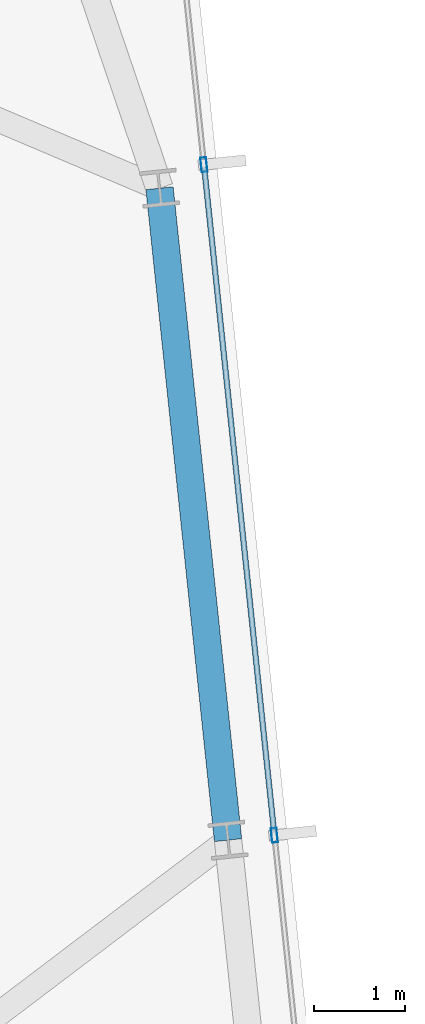
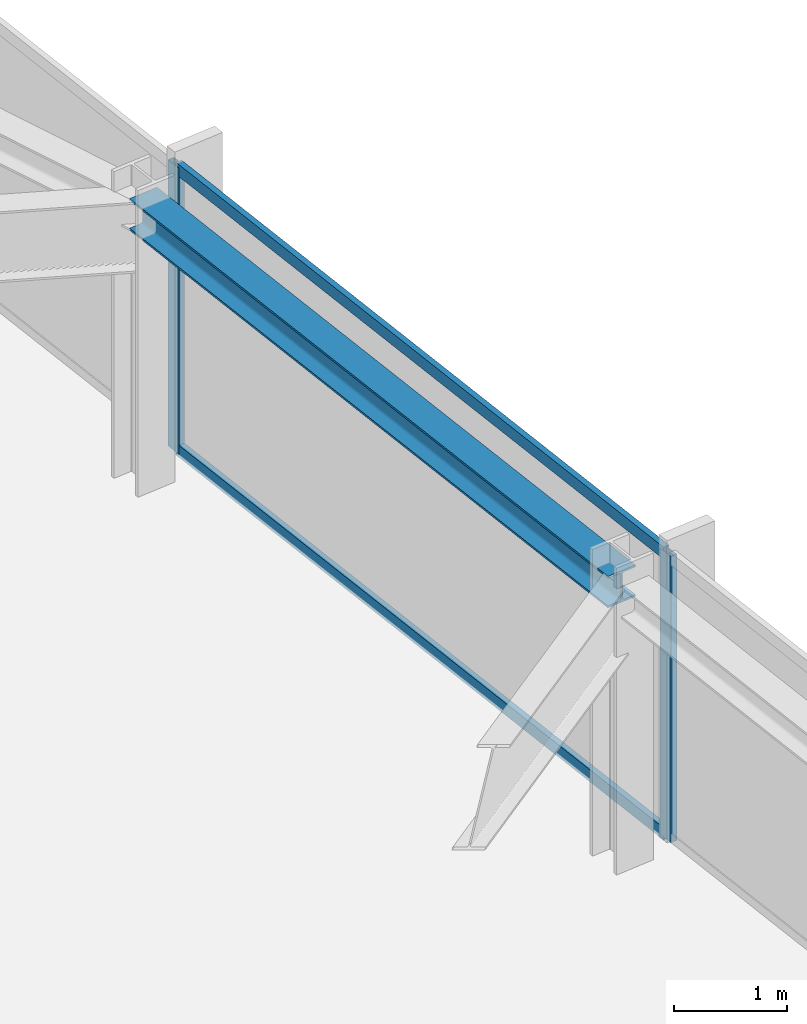
# One storey, part 19 of 32: 4 members, 1 beam, 1 element without a shape of its own.
"""IFC4 building model written with IfcOpenShell, lengths in metres."""

from ifc_helpers import new_model, si_unit, direction, frame, origin, origin_2d, place, context, subcontext, project, spatial, hollow_rectangle, i_section, extrude, material, material_profile, profile_set, type_object, element, aggregate, save


model = new_model("IFC4")

# Units and contexts
model_context = context("Model", 3, precision=1e-05, world=origin(), true_north=direction((0.0, 1.0)))
body_context = subcontext(model_context, "Body", "Model", "MODEL_VIEW")
ifc_project = project(units=[si_unit("LENGTHUNIT", "METRE"), si_unit("AREAUNIT", "SQUARE_METRE"), si_unit("VOLUMEUNIT", "CUBIC_METRE"), si_unit("PLANEANGLEUNIT", "RADIAN"), si_unit("MASSUNIT", "GRAM", prefix="KILO")], contexts=[model_context])

# Site, building, storey
site_placement = place(None, origin())
site = spatial("IfcSite", under=ifc_project, at=site_placement, CompositionType="ELEMENT")
building_placement = place(site_placement, origin())
building = spatial("IfcBuilding", under=site, at=building_placement, Name="Yelkora Congress Tower", CompositionType="ELEMENT")
storey_placement = place(building_placement, frame((0.0, 0.0, 217.699951171875)))
storey = spatial("IfcBuildingStorey", under=building, at=storey_placement, Name="L60", CompositionType="ELEMENT", Elevation=217.699951171875)

# Beam
ifc_material_1 = material(Name="Steel S355J2", Category="steel")
ifc_material_profile_1 = material_profile(ifc_material_1, i_section(OverallWidth=0.300048828125, OverallDepth=0.340087890625, WebThickness=0.011962890625, FlangeThickness=0.021484375, FilletRadius=0.027099609375, at=origin_2d()), Name="HEB 340")
ifc_profile_set_1 = profile_set([ifc_material_profile_1], Name="Steel S355J2")
beam_type = type_object("IfcBeamType", Name="BM-SPAN-HEB340", PredefinedType="SPANDREL", material=ifc_profile_set_1)
beam_placement = place(storey_placement, frame((69.60400390625, 34.296142578125, 2.91015625), z_axis=(-0.104528914631, 0.994521847928, 0.0), x_axis=(-0.994521847928, -0.104528914631, 0.0)))
element("IfcBeam", 1, at=beam_placement, inside=storey, type_object=beam_type, Name="L60 Perimeter Beam 11", PredefinedType="SPANDREL", context=body_context, shape_type="SweptSolid", body=[
    extrude(i_section(OverallWidth=0.300048828125, OverallDepth=0.340087890625, WebThickness=0.011962890625, FlangeThickness=0.021484375, FilletRadius=0.027099609375, at=origin_2d()), origin(), (0.0, 0.0, 1.0), 7.175048828125),
])

# Curtain wall, members
ifc_material_2 = material(Name="Anodised aluminium and insulated glass", Category="aluminium")
curtain_wall_type = type_object("IfcCurtainWallType", Name="CW-SYS-B4", PredefinedType="NOTDEFINED", material=ifc_material_2)
curtain_wall_placement = place(storey_placement, origin())
curtain_wall = element("IfcCurtainWall", 2, at=curtain_wall_placement, inside=storey, type_object=curtain_wall_type, Name="L60 Unitised Curtain Wall 15", PredefinedType="NOTDEFINED")
ifc_material_3 = material(Name="Anodised aluminium 6063-T6", Category="aluminium")
ifc_material_profile_2 = material_profile(ifc_material_3, hollow_rectangle(XDim=0.06494140625, YDim=0.159912109375, WallThickness=0.00390625, at=origin_2d()), Name="ALU 65x160x4")
ifc_profile_set_2 = profile_set([ifc_material_profile_2], Name="Anodised aluminium 6063-T6")
member_type_1 = type_object("IfcMemberType", Name="MEM-ML-B4", PredefinedType="MULLION", material=ifc_profile_set_2)
member_1_placement = place(storey_placement, frame((69.33984375, 41.68896484375, 0.0), z_axis=(0.0, 0.0, 1.0), x_axis=(0.994522182968, 0.104525726898, 0.0)))
member_1 = element("IfcMember", 3, at=member_1_placement, type_object=member_type_1, Name="CW-B4 mullion 2", PredefinedType="MULLION", context=body_context, shape_type="SweptSolid", body=[
    extrude(hollow_rectangle(XDim=0.06494140625, YDim=0.159912109375, WallThickness=0.00390625, at=origin_2d()), origin(), (0.0, 0.0, 1.0), 3.080078125),
])
member_2_placement = place(storey_placement, frame((70.111083984375, 34.349365234375, 0.0), z_axis=(0.0, 0.0, 1.0), x_axis=(0.994522182968, 0.104525726898, 0.0)))
member_2 = element("IfcMember", 4, at=member_2_placement, type_object=member_type_1, Name="CW-B4 mullion 3", PredefinedType="MULLION", context=body_context, shape_type="SweptSolid", body=[
    extrude(hollow_rectangle(XDim=0.06494140625, YDim=0.159912109375, WallThickness=0.00390625, at=origin_2d()), origin(), (0.0, 0.0, 1.0), 3.080078125),
])
ifc_material_profile_3 = material_profile(ifc_material_3, hollow_rectangle(XDim=0.06005859375, YDim=0.1298828125, WallThickness=0.00390625, at=origin_2d()), Name="ALU 60x130x4")
ifc_profile_set_3 = profile_set([ifc_material_profile_3], Name="Anodised aluminium 6063-T6")
member_type_2 = type_object("IfcMemberType", Name="MEM-TR-B4", PredefinedType="USERDEFINED", material=ifc_profile_set_3)
member_3_placement = place(storey_placement, frame((69.34326171875, 41.65673828125, 0.030029296875), z_axis=(0.104531896307, -0.994521534535, 0.0), x_axis=(0.994521534535, 0.104531896307, 0.0)))
member_3 = element("IfcMember", 5, at=member_3_placement, type_object=member_type_2, Name="CW-B4 transom 2.1", ObjectType="TRANSOM", PredefinedType="USERDEFINED", context=body_context, shape_type="SweptSolid", body=[
    extrude(hollow_rectangle(XDim=0.06005859375, YDim=0.1298828125, WallThickness=0.00390625, at=origin_2d()), origin(), (0.0, 0.0, 1.0), 7.31494140625),
])
member_4_placement = place(storey_placement, frame((69.34326171875, 41.65673828125, 3.050048828125), z_axis=(0.104531896307, -0.994521534535, 0.0), x_axis=(0.994521534535, 0.104531896307, 0.0)))
member_4 = element("IfcMember", 6, at=member_4_placement, type_object=member_type_2, Name="CW-B4 transom 2.2", ObjectType="TRANSOM", PredefinedType="USERDEFINED", context=body_context, shape_type="SweptSolid", body=[
    extrude(hollow_rectangle(XDim=0.06005859375, YDim=0.1298828125, WallThickness=0.00390625, at=origin_2d()), origin(), (0.0, 0.0, 1.0), 7.31494140625),
])
aggregate(curtain_wall, [member_1, member_2, member_3, member_4])

save(model, "model.ifc")
